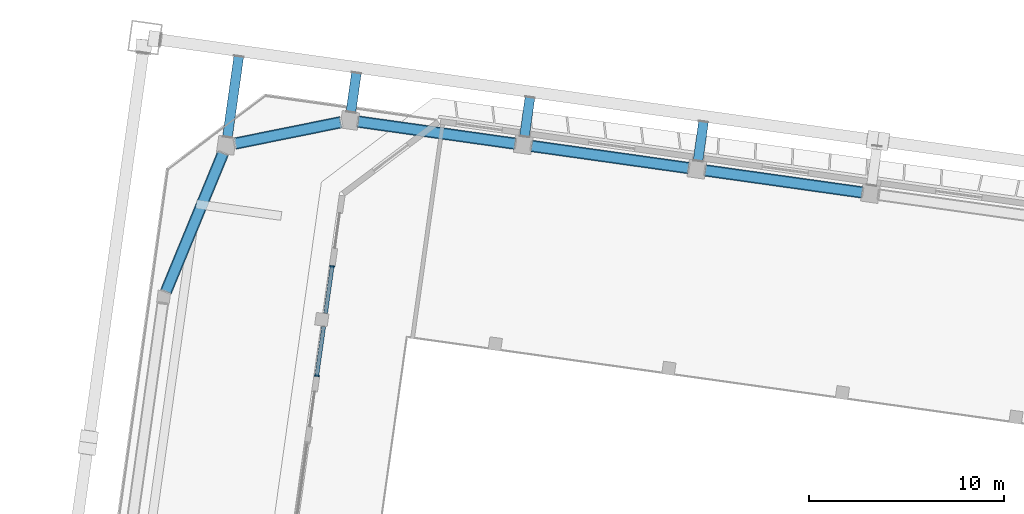
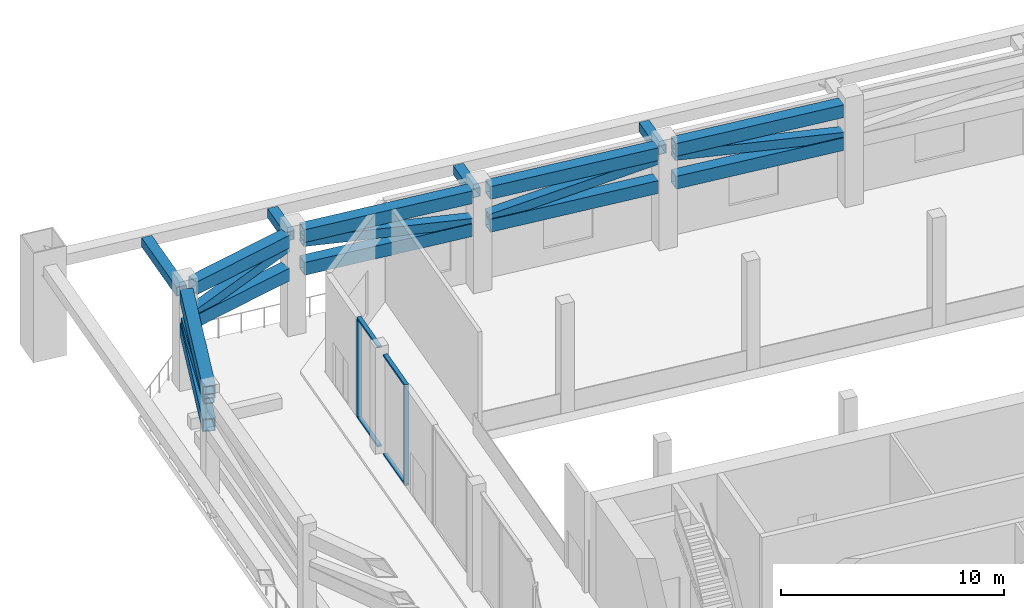
# One storey, part 5 of 41: 25 members, 1 element without a shape of its own.
"""IFC4 building model written with IfcOpenShell, lengths in metres."""

import ifcopenshell
import ifcopenshell.guid

model = None  # the IFC model being written
_history = None  # IfcOwnerHistory: only IFC2X3 demands one
_inside = {}  # id of a spatial element -> (the spatial element, [elements in it])
_under = {}  # id of a project, library or spatial element -> (it, [spatial elements below it])
_declared = {}  # id of a project -> (the project, [libraries it declares])
_typed = {}  # id of a type object -> (the type object, [elements of that type])
_made_of = {}  # id of a material, layer set ... -> (it, [elements and type objects made of it])


def new_model(schema):
    """Start an empty IFC model of exactly this schema.

    Asked for "IFC4X3", IfcOpenShell would pick the latest addendum, in which some entities
    have other attributes; the version numbers below select the first issue.
    IFC2X3 requires an IfcOwnerHistory on every rooted entity: one is made here for all.
    """
    global model, _history
    if schema == "IFC4X3":
        model = ifcopenshell.file(schema_version=(4, 3, 0, 0))
    else:
        model = ifcopenshell.file(schema=schema)
    _inside.clear()
    _under.clear()
    _declared.clear()
    _typed.clear()
    _made_of.clear()
    _history = None
    if model.schema == "IFC2X3":
        org = make("IfcOrganization", Name="unknown")
        user = make(
            "IfcPersonAndOrganization",
            ThePerson=make("IfcPerson", FamilyName="unknown"),
            TheOrganization=org,
        )
        app = make(
            "IfcApplication",
            ApplicationDeveloper=org,
            Version="unknown",
            ApplicationFullName="unknown",
            ApplicationIdentifier="unknown",
        )
        _history = make(
            "IfcOwnerHistory",
            OwningUser=user,
            OwningApplication=app,
            ChangeAction="ADDED",
            CreationDate=0,
        )
    return model


def make(cls, **values):
    """One entity of the class cls with the attributes given. An attribute that is None is left unset."""
    return model.create_entity(
        cls, **{name: value for name, value in values.items() if value is not None}
    )


def rooted(cls, **values):
    """An entity with a GlobalId (a new one), such as an element, a storey or a relation."""
    return make(cls, GlobalId=ifcopenshell.guid.new(), OwnerHistory=_history, **values)


def si_unit(unit_type, name, prefix=None):
    """IfcSIUnit, for example si_unit("LENGTHUNIT", "METRE", prefix="MILLI")."""
    return make("IfcSIUnit", UnitType=unit_type, Prefix=prefix, Name=name)


def assignment(units):
    """IfcUnitAssignment: the units of a project."""
    return None if units is None else make("IfcUnitAssignment", Units=units)


def point(xyz):
    """IfcCartesianPoint."""
    return None if xyz is None else make("IfcCartesianPoint", Coordinates=xyz)


def direction(xyz):
    """IfcDirection."""
    return None if xyz is None else make("IfcDirection", DirectionRatios=xyz)


def frame(location, z_axis=None, x_axis=None):
    """IfcAxis2Placement3D, a coordinate frame: its origin and axes. An axis left out is left unset."""
    return make(
        "IfcAxis2Placement3D",
        Location=point(location),
        Axis=direction(z_axis),
        RefDirection=direction(x_axis),
    )


def frame_2d(location, x_axis=None):
    """IfcAxis2Placement2D, a coordinate frame in the plane: its origin and x axis."""
    return make(
        "IfcAxis2Placement2D", Location=point(location), RefDirection=direction(x_axis)
    )


def origin():
    """The frame at (0, 0, 0) with its axes left unset."""
    return frame((0.0, 0.0, 0.0))


def origin_2d():
    """The frame at (0, 0) in the plane with its x axis left unset."""
    return frame_2d((0.0, 0.0))


def place(relative_to, where):
    """IfcLocalPlacement: puts the frame where relative to a parent placement (None: the world)."""
    return make(
        "IfcLocalPlacement", PlacementRelTo=relative_to, RelativePlacement=where
    )


def context(
    kind, dimensions, precision=None, world=None, true_north=None, identifier=None
):
    """IfcGeometricRepresentationContext, for example the 3D "Model" context."""
    return make(
        "IfcGeometricRepresentationContext",
        ContextIdentifier=identifier,
        ContextType=kind,
        CoordinateSpaceDimension=dimensions,
        Precision=precision,
        WorldCoordinateSystem=world,
        TrueNorth=true_north,
    )


def subcontext(parent, identifier, kind, view, scale=None):
    """IfcGeometricRepresentationSubContext, for example "Body" below "Model"."""
    return make(
        "IfcGeometricRepresentationSubContext",
        ContextIdentifier=identifier,
        ContextType=kind,
        ParentContext=parent,
        TargetScale=scale,
        TargetView=view,
    )


def project(units=None, contexts=None):
    """IfcProject with its units and contexts."""
    return rooted(
        "IfcProject",
        Name="project",
        RepresentationContexts=contexts,
        UnitsInContext=assignment(units),
    )


def spatial(cls, under=None, at=None, **own):
    """A site, building, storey or space (cls), placed at a placement, below another one or the project."""
    s = rooted(cls, ObjectPlacement=at, **own)
    if under is not None:
        _under.setdefault(under.id(), (under, []))[1].append(s)
    return s


def profile(cls, at=None, kind="AREA", **sizes):
    """A parametric profile (cls). Its sizes go by their IFC names, for example OverallWidth=200.0."""
    return make(cls, ProfileType=kind, Position=at, **sizes)


def rectangle(**sizes):
    """IfcRectangleProfileDef."""
    return profile("IfcRectangleProfileDef", **sizes)


def hollow_rectangle(**sizes):
    """IfcRectangleHollowProfileDef."""
    return profile("IfcRectangleHollowProfileDef", **sizes)


def extrude(swept, where, along, depth):
    """IfcExtrudedAreaSolid: the profile swept, set in the frame where, extruded along a direction by depth."""
    return make(
        "IfcExtrudedAreaSolid",
        SweptArea=swept,
        Position=where,
        ExtrudedDirection=direction(along),
        Depth=depth,
    )


def shape(context_of_items, identifier, shape_type, items):
    """IfcShapeRepresentation: the items that make up one representation, for example the "Body"."""
    return make(
        "IfcShapeRepresentation",
        ContextOfItems=context_of_items,
        RepresentationIdentifier=identifier,
        RepresentationType=shape_type,
        Items=items,
    )


def material(Name=None, Category=None):
    """IfcMaterial."""
    return make("IfcMaterial", Name=Name, Category=Category)


def material_profile(
    of_material, cross_section, Name=None, Category=None, Priority=None
):
    """IfcMaterialProfile: a cross section and its material."""
    return make(
        "IfcMaterialProfile",
        Name=Name,
        Material=of_material,
        Profile=cross_section,
        Priority=Priority,
        Category=Category,
    )


def profile_set(profiles, Name=None, composite=None):
    """IfcMaterialProfileSet."""
    return make(
        "IfcMaterialProfileSet",
        Name=Name,
        MaterialProfiles=profiles,
        CompositeProfile=composite,
    )


def made_of(thing, what):
    """Note that an element or type object is made of a material, layer set ...; save() writes the relation."""
    if what is not None:
        _made_of.setdefault(what.id(), (what, []))[1].append(thing)
    return thing


def type_object(cls, material=None, **own):
    """A type object (cls), such as IfcWallType, which elements share."""
    return made_of(rooted(cls, **own), material)


def element(
    cls,
    number,
    at=None,
    inside=None,
    cuts=None,
    type_object=None,
    material=None,
    context=None,
    identifier="Body",
    shape_type=None,
    held_by="IfcProductDefinitionShape",
    body=None,
    shapes=None,
    **own,
):
    """One element of the class cls, such as IfcWall. Its Tag is "e" and its number.

    at: its placement. inside: the storey or other place that contains it. cuts: it is an
    opening in that element (IfcRelVoidsElement). A single representation is given by context,
    identifier, shape_type and body (its items); several are given by shapes. held_by: the class
    of the entity that holds the representations. save() writes the other relations.
    """
    e = rooted(cls, Tag="e%d" % number, ObjectPlacement=at, **own)
    if body is not None:
        shapes = [shape(context, identifier, shape_type, body)]
    if shapes is not None:
        e.Representation = make(held_by, Representations=shapes)
    if inside is not None:
        _inside.setdefault(inside.id(), (inside, []))[1].append(e)
    if cuts is not None:
        rooted(
            "IfcRelVoidsElement", RelatingBuildingElement=cuts, RelatedOpeningElement=e
        )
    if type_object is not None:
        _typed.setdefault(type_object.id(), (type_object, []))[1].append(e)
    return made_of(e, material)


def aggregate(whole, parts):
    """IfcRelAggregates: a whole, such as a stair, and the parts it consists of."""
    return rooted("IfcRelAggregates", RelatingObject=whole, RelatedObjects=parts)


def save(model, path):
    """Write the relations noted so far, then the file.

    IfcRelAggregates (storeys below a building ...), IfcRelContainedInSpatialStructure (elements
    in a storey), IfcRelDefinesByType, IfcRelAssociatesMaterial and IfcRelDeclares: one each for
    every whole, place, type object, material and project.
    """
    for whole, parts in _under.values():
        aggregate(whole, parts)
    for where, things in _inside.values():
        rooted(
            "IfcRelContainedInSpatialStructure",
            RelatedElements=things,
            RelatingStructure=where,
        )
    for kind, things in _typed.values():
        rooted("IfcRelDefinesByType", RelatedObjects=things, RelatingType=kind)
    for what, things in _made_of.values():
        rooted("IfcRelAssociatesMaterial", RelatedObjects=things, RelatingMaterial=what)
    for by, libraries in _declared.values():
        rooted("IfcRelDeclares", RelatingContext=by, RelatedDefinitions=libraries)
    model.write(path)


model = new_model("IFC4")

# Units and contexts
model_context = context("Model", 3, precision=1e-05, world=origin(), true_north=direction((0.0, 1.0)))
body_context = subcontext(model_context, "Body", "Model", "MODEL_VIEW")
ifc_project = project(units=[si_unit("LENGTHUNIT", "METRE"), si_unit("AREAUNIT", "SQUARE_METRE"), si_unit("VOLUMEUNIT", "CUBIC_METRE"), si_unit("PLANEANGLEUNIT", "RADIAN"), si_unit("MASSUNIT", "GRAM", prefix="KILO")], contexts=[model_context])

# Site, building, storey
site_placement = place(None, origin())
site = spatial("IfcSite", under=ifc_project, at=site_placement, CompositionType="ELEMENT")
building_placement = place(site_placement, origin())
building = spatial("IfcBuilding", under=site, at=building_placement, Name="Mirante Cascada Hotel Towers", CompositionType="ELEMENT")
storey_placement = place(building_placement, frame((0.0, 0.0, 92.7)))
storey = spatial("IfcBuildingStorey", under=building, at=storey_placement, Name="L20", CompositionType="ELEMENT", Elevation=92.7)

# Members
ifc_material_1 = material(Name="Steel ASTM A572 Gr 50", Category="steel")
ifc_material_profile_1 = material_profile(ifc_material_1, hollow_rectangle(XDim=0.6, YDim=0.7, WallThickness=0.05, at=origin_2d()), Name="Box chord 700x600x50 ASTM A572 Gr 50")
ifc_profile_set_1 = profile_set([ifc_material_profile_1], Name="Steel ASTM A572 Gr 50")
member_type_1 = type_object("IfcMemberType", Name="Box chord 700x600x50 ASTM A572 Gr 50", PredefinedType="CHORD", material=ifc_profile_set_1)
for number, where, z_axis, x_axis, name in (
    (1, (-63.5356, 21.1425, 5.2), (-0.990269, 0.1391662, 0.0), (-0.1391662, -0.990269, 0.0), "belt T1 L20 13"),
    (2, (-63.5356, 21.1425, 3.4), (-0.990269, 0.1391662, 0.0), (-0.1391662, -0.990269, 0.0), "belt T1 L20 14"),
):
    element("IfcMember", number, at=place(storey_placement, frame(where, z_axis=z_axis, x_axis=x_axis)), inside=storey, type_object=member_type_1, Name=name, PredefinedType="CHORD", context=body_context, shape_type="SweptSolid", body=[
        extrude(hollow_rectangle(XDim=0.6, YDim=0.7, WallThickness=0.05, at=origin_2d()), origin(), (0.0, 0.0, 1.0), 8.1399),
    ])
for number, where, z_axis, x_axis, name in (
    (3, (-72.448, 22.395, 5.2), (-0.9902676, 0.1391765, 0.0), (-0.1391765, -0.9902676, 0.0), "belt T1 L20 16"),
    (4, (-72.448, 22.395, 3.4), (-0.9902676, 0.1391765, 0.0), (-0.1391765, -0.9902676, 0.0), "belt T1 L20 17"),
    (5, (-81.3604, 23.6476, 5.2), (-0.9902676, 0.1391765, 0.0), (-0.1391765, -0.9902676, 0.0), "belt T1 L20 19"),
    (6, (-81.3604, 23.6476, 3.4), (-0.9902676, 0.1391765, 0.0), (-0.1391765, -0.9902676, 0.0), "belt T1 L20 20"),
):
    element("IfcMember", number, at=place(storey_placement, frame(where, z_axis=z_axis, x_axis=x_axis)), inside=storey, type_object=member_type_1, Name=name, PredefinedType="CHORD", context=body_context, shape_type="SweptSolid", body=[
        extrude(hollow_rectangle(XDim=0.6, YDim=0.7, WallThickness=0.05, at=origin_2d()), origin(), (0.0, 0.0, 1.0), 8.14),
    ])
for number, where, z_axis, x_axis, name in (
    (7, (-90.2951, 24.7498, 5.2), (-0.9802196, -0.197913, 0.0), (0.197913, -0.9802196, 0.0), "belt T1 L20 22"),
    (8, (-90.2951, 24.7498, 3.4), (-0.9802196, -0.197913, 0.0), (0.197913, -0.9802196, 0.0), "belt T1 L20 23"),
):
    element("IfcMember", number, at=place(storey_placement, frame(where, z_axis=z_axis, x_axis=x_axis)), inside=storey, type_object=member_type_1, Name=name, PredefinedType="CHORD", context=body_context, shape_type="SweptSolid", body=[
        extrude(hollow_rectangle(XDim=0.6, YDim=0.7, WallThickness=0.05, at=origin_2d()), origin(), (0.0, 0.0, 1.0), 5.5534),
    ])
for number, where, z_axis, x_axis, name in (
    (9, (-96.3563, 23.1491, 5.2), (-0.3811846, -0.9244989, 0.0), (0.9244989, -0.3811846, 0.0), "belt T1 L20 25"),
    (10, (-96.3563, 23.1491, 3.4), (-0.3811846, -0.9244989, 0.0), (0.9244989, -0.3811846, 0.0), "belt T1 L20 26"),
):
    element("IfcMember", number, at=place(storey_placement, frame(where, z_axis=z_axis, x_axis=x_axis)), inside=storey, type_object=member_type_1, Name=name, PredefinedType="CHORD", context=body_context, shape_type="SweptSolid", body=[
        extrude(hollow_rectangle(XDim=0.6, YDim=0.7, WallThickness=0.05, at=origin_2d()), origin(), (0.0, 0.0, 1.0), 7.6803),
    ])
ifc_material_2 = material(Name="Steel ASTM A572 Gr 50", Category="steel")
ifc_material_profile_2 = material_profile(ifc_material_2, hollow_rectangle(XDim=0.5, YDim=0.5, WallThickness=0.035, at=origin_2d()), Name="Box diagonal 500x500x35 ASTM A572 Gr 50")
ifc_profile_set_2 = profile_set([ifc_material_profile_2], Name="Steel ASTM A572 Gr 50")
member_type_2 = type_object("IfcMemberType", Name="Box diagonal 500x500x35 ASTM A572 Gr 50", PredefinedType="BRACE", material=ifc_profile_set_2)
member_1_placement = place(storey_placement, frame((-63.5356, 21.1425, 3.75), z_axis=(-0.9813489, 0.1379126, 0.1339194), x_axis=(-0.1391662, -0.990269, 0.0)))
element("IfcMember", 11, at=member_1_placement, inside=storey, type_object=member_type_2, Name="belt T1 L20 15", PredefinedType="BRACE", context=body_context, shape_type="SweptSolid", body=[
    extrude(hollow_rectangle(XDim=0.5, YDim=0.5, WallThickness=0.035, at=origin_2d()), origin(), (0.0, 0.0, 1.0), 8.2139),
])
for number, where, z_axis, x_axis, name in (
    (12, (-72.448, 22.395, 4.85), (-0.9813477, 0.1379229, -0.1339175), (-0.1391765, -0.9902676, 0.0), "belt T1 L20 18"),
    (13, (-81.3604, 23.6476, 3.75), (-0.9813477, 0.1379229, 0.1339175), (-0.1391765, -0.9902676, 0.0), "belt T1 L20 21"),
):
    element("IfcMember", number, at=place(storey_placement, frame(where, z_axis=z_axis, x_axis=x_axis)), inside=storey, type_object=member_type_2, Name=name, PredefinedType="BRACE", context=body_context, shape_type="SweptSolid", body=[
        extrude(hollow_rectangle(XDim=0.5, YDim=0.5, WallThickness=0.035, at=origin_2d()), origin(), (0.0, 0.0, 1.0), 8.214),
    ])
member_2_placement = place(storey_placement, frame((-90.2951, 24.7498, 4.85), z_axis=(-0.9615387, -0.1941412, -0.1943002), x_axis=(0.197913, -0.9802196, 0.0)))
element("IfcMember", 14, at=member_2_placement, inside=storey, type_object=member_type_2, Name="belt T1 L20 24", PredefinedType="BRACE", context=body_context, shape_type="SweptSolid", body=[
    extrude(hollow_rectangle(XDim=0.5, YDim=0.5, WallThickness=0.035, at=origin_2d()), origin(), (0.0, 0.0, 1.0), 5.6613),
])
member_3_placement = place(storey_placement, frame((-96.3563, 23.1491, 3.75), z_axis=(-0.3773341, -0.9151602, 0.1417774), x_axis=(0.9244989, -0.3811846, 0.0)))
element("IfcMember", 15, at=member_3_placement, inside=storey, type_object=member_type_2, Name="belt T1 L20 27", PredefinedType="BRACE", context=body_context, shape_type="SweptSolid", body=[
    extrude(hollow_rectangle(XDim=0.5, YDim=0.5, WallThickness=0.035, at=origin_2d()), origin(), (0.0, 0.0, 1.0), 7.7586),
])
ifc_material_3 = material(Name="Steel ASTM A572 Gr 50", Category="steel")
ifc_material_profile_3 = material_profile(ifc_material_3, hollow_rectangle(XDim=0.5, YDim=0.5, WallThickness=0.035, at=origin_2d()), Name="Box tie 500x500x35 ASTM A572 Gr 50")
ifc_profile_set_3 = profile_set([ifc_material_profile_3], Name="Steel ASTM A572 Gr 50")
member_type_3 = type_object("IfcMemberType", Name="Box tie 500x500x35 ASTM A572 Gr 50", PredefinedType="STRUT", material=ifc_profile_set_3)
for number, where, z_axis, x_axis, name in (
    (16, (-71.9623, 22.761, 4.85), (0.13917, 0.9902685, 0.0), (-0.9902685, 0.13917, 0.0), "tie T1 L20 9"),
    (17, (-80.8747, 24.0136, 4.85), (0.13917, 0.9902685, 0.0), (-0.9902685, 0.13917, 0.0), "tie T1 L20 11"),
):
    element("IfcMember", number, at=place(storey_placement, frame(where, z_axis=z_axis, x_axis=x_axis)), inside=storey, type_object=member_type_3, Name=name, PredefinedType="STRUT", context=body_context, shape_type="SweptSolid", body=[
        extrude(hollow_rectangle(XDim=0.5, YDim=0.5, WallThickness=0.035, at=origin_2d()), origin(), (0.0, 0.0, 1.0), 2.04),
    ])
member_4_placement = place(storey_placement, frame((-89.7871, 25.2661, 4.85), z_axis=(0.1391632, 0.9902695, 0.0), x_axis=(-0.9902695, 0.1391632, 0.0)))
element("IfcMember", 18, at=member_4_placement, inside=storey, type_object=member_type_3, Name="tie T1 L20 13", PredefinedType="STRUT", context=body_context, shape_type="SweptSolid", body=[
    extrude(hollow_rectangle(XDim=0.5, YDim=0.5, WallThickness=0.035, at=origin_2d()), origin(), (0.0, 0.0, 1.0), 2.0401),
])
member_5_placement = place(storey_placement, frame((-96.127, 23.986, 4.85), z_axis=(0.1391656, 0.9902691, 0.0), x_axis=(-0.9902691, 0.1391656, 0.0)))
element("IfcMember", 19, at=member_5_placement, inside=storey, type_object=member_type_3, Name="tie T1 L20 15", PredefinedType="STRUT", context=body_context, shape_type="SweptSolid", body=[
    extrude(hollow_rectangle(XDim=0.5, YDim=0.5, WallThickness=0.035, at=origin_2d()), origin(), (0.0, 0.0, 1.0), 4.19),
])

# Curtain wall, members
ifc_material_4 = material(Name="Aluminium mullion and transom frame with clear laminated glass", Category="aluminium")
curtain_wall_type = type_object("IfcCurtainWallType", Name="Sky garden curtain wall ECW4", PredefinedType="NOTDEFINED", material=ifc_material_4)
curtain_wall_placement = place(storey_placement, origin())
curtain_wall = element("IfcCurtainWall", 20, at=curtain_wall_placement, inside=storey, type_object=curtain_wall_type, Name="Sky garden wall T1 L20 run 3", PredefinedType="NOTDEFINED")
ifc_material_5 = material(Name="Anodised aluminium extrusion", Category="aluminium")
ifc_material_profile_4 = material_profile(ifc_material_5, rectangle(XDim=0.24, YDim=0.075, at=origin_2d()), Name="ECW4 MULLION 75x240")
ifc_profile_set_4 = profile_set([ifc_material_profile_4], Name="Anodised aluminium extrusion")
member_type_4 = type_object("IfcMemberType", Name="ECW4 mullion 75x240", PredefinedType="MULLION", material=ifc_profile_set_4)
member_6_placement = place(storey_placement, frame((-91.5373, 11.7355, 0.11), z_axis=(0.0, 0.0, 1.0), x_axis=(-0.9902681, 0.1391731, 0.0)))
member_6 = element("IfcMember", 21, at=member_6_placement, type_object=member_type_4, Name="ECW4 mullion 1", PredefinedType="MULLION", context=body_context, shape_type="SweptSolid", body=[
    extrude(rectangle(XDim=0.24, YDim=0.075, at=origin_2d()), origin(), (0.0, 0.0, 1.0), 5.33),
])
member_7_placement = place(storey_placement, frame((-90.7491, 17.3433, 0.11), z_axis=(0.0, 0.0, 1.0), x_axis=(-0.9902681, 0.1391731, 0.0)))
member_7 = element("IfcMember", 22, at=member_7_placement, type_object=member_type_4, Name="ECW4 mullion 2", PredefinedType="MULLION", context=body_context, shape_type="SweptSolid", body=[
    extrude(rectangle(XDim=0.24, YDim=0.075, at=origin_2d()), origin(), (0.0, 0.0, 1.0), 5.33),
])
ifc_material_6 = material(Name="Anodised aluminium extrusion", Category="aluminium")
ifc_material_profile_5 = material_profile(ifc_material_6, rectangle(XDim=0.2, YDim=0.11, at=origin_2d()), Name="ECW4 TRANSOM 110x200")
ifc_profile_set_5 = profile_set([ifc_material_profile_5], Name="Anodised aluminium extrusion")
member_type_5 = type_object("IfcMemberType", Name="ECW4 transom 110x200", PredefinedType="USERDEFINED", material=ifc_profile_set_5)
member_8_placement = place(storey_placement, frame((-91.5425, 11.6984, 0.055), z_axis=(0.1391853, 0.9902663, 0.0), x_axis=(-0.9902663, 0.1391853, 0.0)))
member_8 = element("IfcMember", 23, at=member_8_placement, type_object=member_type_5, Name="ECW4 sill transom", ObjectType="TRANSOM", PredefinedType="USERDEFINED", context=body_context, shape_type="SweptSolid", body=[
    extrude(rectangle(XDim=0.2, YDim=0.11, at=origin_2d()), origin(), (0.0, 0.0, 1.0), 2.58),
])
member_9_placement = place(storey_placement, frame((-91.0874, 14.9365, 0.055), z_axis=(0.1391859, 0.9902663, 0.0), x_axis=(-0.9902663, 0.1391859, 0.0)))
member_9 = element("IfcMember", 24, at=member_9_placement, type_object=member_type_5, Name="ECW4 sill transom", ObjectType="TRANSOM", PredefinedType="USERDEFINED", context=body_context, shape_type="SweptSolid", body=[
    extrude(rectangle(XDim=0.2, YDim=0.11, at=origin_2d()), origin(), (0.0, 0.0, 1.0), 2.4679),
])
member_10_placement = place(storey_placement, frame((-91.5425, 11.6984, 5.495), z_axis=(0.1391853, 0.9902663, 0.0), x_axis=(-0.9902663, 0.1391853, 0.0)))
member_10 = element("IfcMember", 25, at=member_10_placement, type_object=member_type_5, Name="ECW4 head transom", ObjectType="TRANSOM", PredefinedType="USERDEFINED", context=body_context, shape_type="SweptSolid", body=[
    extrude(rectangle(XDim=0.2, YDim=0.11, at=origin_2d()), origin(), (0.0, 0.0, 1.0), 2.58),
])
member_11_placement = place(storey_placement, frame((-91.0874, 14.9365, 5.495), z_axis=(0.1391859, 0.9902663, 0.0), x_axis=(-0.9902663, 0.1391859, 0.0)))
member_11 = element("IfcMember", 26, at=member_11_placement, type_object=member_type_5, Name="ECW4 head transom", ObjectType="TRANSOM", PredefinedType="USERDEFINED", context=body_context, shape_type="SweptSolid", body=[
    extrude(rectangle(XDim=0.2, YDim=0.11, at=origin_2d()), origin(), (0.0, 0.0, 1.0), 2.4679),
])
aggregate(curtain_wall, [member_8, member_9, member_10, member_11, member_6, member_7])

save(model, "model.ifc")
